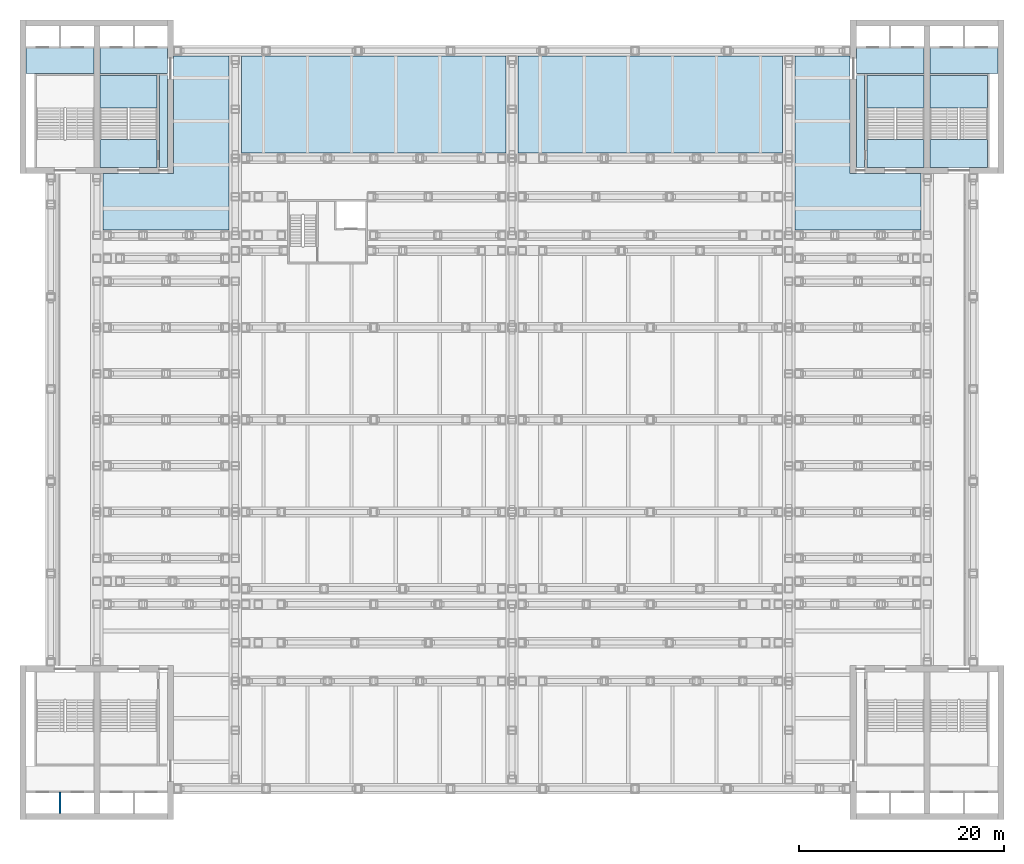
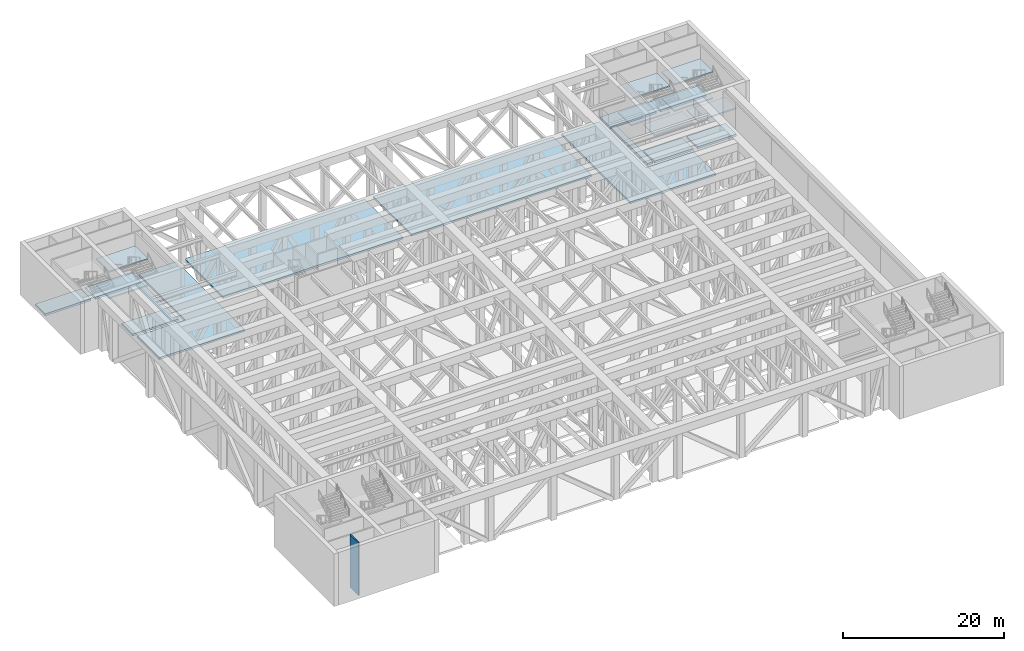
# One storey, part 7 of 20: 21 slabs, 1 wall, 3 elements without a shape of their own.
"""IFC4 building model written with IfcOpenShell, lengths in metres."""

from ifc_helpers import new_model, si_unit, direction, frame, frame_2d, origin, place, context, subcontext, project, spatial, polyline, rectangle, outline, extrude, material, layer, layer_set, type_object, element, aggregate, save


model = new_model("IFC4")

# Units and contexts
model_context = context("Model", 3, precision=1e-05, world=origin(), true_north=direction((0.0, 1.0)))
body_context = subcontext(model_context, "Body", "Model", "MODEL_VIEW")
ifc_project = project(units=[si_unit("LENGTHUNIT", "METRE"), si_unit("AREAUNIT", "SQUARE_METRE"), si_unit("VOLUMEUNIT", "CUBIC_METRE"), si_unit("PLANEANGLEUNIT", "RADIAN"), si_unit("MASSUNIT", "GRAM", prefix="KILO")], contexts=[model_context])

# Site, building, storey
site_placement = place(None, origin())
site = spatial("IfcSite", under=ifc_project, at=site_placement, CompositionType="ELEMENT")
building_placement = place(site_placement, origin())
building = spatial("IfcBuilding", under=site, at=building_placement, Name="Corbelhall Arena Tower", CompositionType="ELEMENT")
storey_placement = place(building_placement, frame((0.0, 0.0, 44.0)))
storey = spatial("IfcBuildingStorey", under=building, at=storey_placement, Name="L06", CompositionType="ELEMENT", Elevation=44.0)

# Stair, slabs
ifc_material_1 = material(Name="Reinforced concrete C40/50", Category="concrete")
stair_type = type_object("IfcStairType", Name="AR-EXIT-STAIR", PredefinedType="HALF_TURN_STAIR", material=ifc_material_1)
stair_1_placement = place(storey_placement, origin())
stair_1 = element("IfcStair", 1, at=stair_1_placement, inside=storey, type_object=stair_type, Name="L06 exit stair AS1", PredefinedType="HALF_TURN_STAIR")
ifc_layer_1 = layer(ifc_material_1, 0.199951171875)
ifc_layer_set_1 = layer_set([ifc_layer_1], Name="AR-EXIT-LANDING")
slab_type_1 = type_object("IfcSlabType", Name="AR-EXIT-LANDING", PredefinedType="LANDING", material=ifc_layer_set_1)
slab_1_placement = place(storey_placement, frame((0.0, 0.0, 1.800048828125)))
slab_1 = element("IfcSlab", 2, at=slab_1_placement, type_object=slab_type_1, Name="AS1 landing 1", PredefinedType="LANDING", context=body_context, shape_type="SweptSolid", body=[
    extrude(outline(polyline([(40.199951171875, 30.39990234375), (40.199951171875, 33.60009765625), (34.610107421875, 33.60009765625), (34.610107421875, 30.39990234375), (40.199951171875, 30.39990234375)])), origin(), (0.0, 0.0, 1.0), 0.199951171875),
])
slab_2_placement = place(storey_placement, frame((0.0, 0.0, 3.800048828125)))
slab_2 = element("IfcSlab", 3, at=slab_2_placement, type_object=slab_type_1, Name="AS1 landing 2", PredefinedType="LANDING", context=body_context, shape_type="SweptSolid", body=[
    extrude(outline(polyline([(40.199951171875, 24.60009765625), (40.199951171875, 27.320068359375), (34.610107421875, 27.320068359375), (34.610107421875, 24.60009765625), (40.199951171875, 24.60009765625)])), origin(), (0.0, 0.0, 1.0), 0.199951171875),
])
slab_3_placement = place(storey_placement, frame((0.0, 0.0, 5.800048828125)))
slab_3 = element("IfcSlab", 4, at=slab_3_placement, type_object=slab_type_1, Name="AS1 landing 3", PredefinedType="LANDING", context=body_context, shape_type="SweptSolid", body=[
    extrude(outline(polyline([(40.199951171875, 30.39990234375), (40.199951171875, 33.60009765625), (34.610107421875, 33.60009765625), (34.610107421875, 30.39990234375), (40.199951171875, 30.39990234375)])), origin(), (0.0, 0.0, 1.0), 0.199951171875),
])
aggregate(stair_1, [slab_1, slab_2, slab_3])

stair_2_placement = place(storey_placement, origin())
stair_2 = element("IfcStair", 5, at=stair_2_placement, inside=storey, type_object=stair_type, Name="L06 exit stair AS2", PredefinedType="HALF_TURN_STAIR")
slab_4_placement = place(storey_placement, frame((0.0, 0.0, 1.800048828125)))
slab_4 = element("IfcSlab", 6, at=slab_4_placement, type_object=slab_type_1, Name="AS2 landing 1", PredefinedType="LANDING", context=body_context, shape_type="SweptSolid", body=[
    extrude(outline(polyline([(46.389892578125, 30.39990234375), (46.389892578125, 33.60009765625), (40.800048828125, 33.60009765625), (40.800048828125, 30.39990234375), (46.389892578125, 30.39990234375)])), origin(), (0.0, 0.0, 1.0), 0.199951171875),
])
slab_5_placement = place(storey_placement, frame((0.0, 0.0, 3.800048828125)))
slab_5 = element("IfcSlab", 7, at=slab_5_placement, type_object=slab_type_1, Name="AS2 landing 2", PredefinedType="LANDING", context=body_context, shape_type="SweptSolid", body=[
    extrude(outline(polyline([(46.389892578125, 24.60009765625), (46.389892578125, 27.320068359375), (40.800048828125, 27.320068359375), (40.800048828125, 24.60009765625), (46.389892578125, 24.60009765625)])), origin(), (0.0, 0.0, 1.0), 0.199951171875),
])
slab_6_placement = place(storey_placement, frame((0.0, 0.0, 5.800048828125)))
slab_6 = element("IfcSlab", 8, at=slab_6_placement, type_object=slab_type_1, Name="AS2 landing 3", PredefinedType="LANDING", context=body_context, shape_type="SweptSolid", body=[
    extrude(outline(polyline([(46.389892578125, 30.39990234375), (46.389892578125, 33.60009765625), (40.800048828125, 33.60009765625), (40.800048828125, 30.39990234375), (46.389892578125, 30.39990234375)])), origin(), (0.0, 0.0, 1.0), 0.199951171875),
])
aggregate(stair_2, [slab_4, slab_5, slab_6])

stair_3_placement = place(storey_placement, origin())
stair_3 = element("IfcStair", 9, at=stair_3_placement, inside=storey, type_object=stair_type, Name="L06 exit stair AS3", PredefinedType="HALF_TURN_STAIR")
slab_7_placement = place(storey_placement, frame((0.0, 0.0, 1.800048828125)))
slab_7 = element("IfcSlab", 10, at=slab_7_placement, type_object=slab_type_1, Name="AS3 landing 1", PredefinedType="LANDING", context=body_context, shape_type="SweptSolid", body=[
    extrude(outline(polyline([(-34.610107421875, 30.39990234375), (-34.610107421875, 33.60009765625), (-40.199951171875, 33.60009765625), (-40.199951171875, 30.39990234375), (-34.610107421875, 30.39990234375)])), origin(), (0.0, 0.0, 1.0), 0.199951171875),
])
slab_8_placement = place(storey_placement, frame((0.0, 0.0, 5.800048828125)))
slab_8 = element("IfcSlab", 11, at=slab_8_placement, type_object=slab_type_1, Name="AS3 landing 3", PredefinedType="LANDING", context=body_context, shape_type="SweptSolid", body=[
    extrude(outline(polyline([(-34.610107421875, 30.39990234375), (-34.610107421875, 33.60009765625), (-40.199951171875, 33.60009765625), (-40.199951171875, 30.39990234375), (-34.610107421875, 30.39990234375)])), origin(), (0.0, 0.0, 1.0), 0.199951171875),
])
aggregate(stair_3, [slab_7, slab_8])

# Slabs
ifc_layer_2 = layer(ifc_material_1, 0.300048828125)
ifc_layer_set_2 = layer_set([ifc_layer_2], Name="AR-STAIR-FLOOR")
slab_type_2 = type_object("IfcSlabType", Name="AR-STAIR-FLOOR", PredefinedType="FLOOR", material=ifc_layer_set_2)
slab_9_placement = place(storey_placement, frame((0.0, 0.0, -0.300048828125)))
element("IfcSlab", 12, at=slab_9_placement, inside=storey, type_object=slab_type_2, Name="Stair AS1 floor", PredefinedType="FLOOR", context=body_context, shape_type="SweptSolid", body=[
    extrude(outline(polyline([(40.199951171875, 24.60009765625), (34.610107421875, 24.60009765625), (34.610107421875, 27.322998046875), (40.199951171875, 27.322998046875), (40.199951171875, 24.60009765625)])), origin(), (0.0, 0.0, 1.0), 0.300048828125),
])
slab_10_placement = place(storey_placement, frame((0.0, 0.0, -0.300048828125)))
element("IfcSlab", 13, at=slab_10_placement, inside=storey, type_object=slab_type_2, Name="Stair AS2 floor", PredefinedType="FLOOR", context=body_context, shape_type="SweptSolid", body=[
    extrude(outline(polyline([(46.389892578125, 24.60009765625), (40.800048828125, 24.60009765625), (40.800048828125, 27.322998046875), (46.389892578125, 27.322998046875), (46.389892578125, 24.60009765625)])), origin(), (0.0, 0.0, 1.0), 0.300048828125),
])
slab_11_placement = place(storey_placement, frame((0.0, 0.0, -0.300048828125)))
element("IfcSlab", 14, at=slab_11_placement, inside=storey, type_object=slab_type_2, Name="Stair AS3 floor", PredefinedType="FLOOR", context=body_context, shape_type="SweptSolid", body=[
    extrude(outline(polyline([(-34.610107421875, 24.60009765625), (-40.199951171875, 24.60009765625), (-40.199951171875, 27.322998046875), (-34.610107421875, 27.322998046875), (-34.610107421875, 24.60009765625)])), origin(), (0.0, 0.0, 1.0), 0.300048828125),
])
slab_12_placement = place(storey_placement, frame((0.0, 0.0, -0.300048828125)))
element("IfcSlab", 15, at=slab_12_placement, inside=storey, type_object=slab_type_2, Name="Lift lobby floor NE", PredefinedType="FLOOR", context=body_context, shape_type="SweptSolid", body=[
    extrude(outline(polyline([(40.199951171875, 33.800048828125), (40.199951171875, 36.300048828125), (33.60009765625, 36.300048828125), (33.60009765625, 33.800048828125), (40.199951171875, 33.800048828125)])), origin(), (0.0, 0.0, 1.0), 0.300048828125),
])
slab_13_placement = place(storey_placement, frame((0.0, 0.0, -0.300048828125)))
element("IfcSlab", 16, at=slab_13_placement, inside=storey, type_object=slab_type_2, Name="Lift lobby floor NE", PredefinedType="FLOOR", context=body_context, shape_type="SweptSolid", body=[
    extrude(outline(polyline([(47.39990234375, 33.800048828125), (47.39990234375, 36.300048828125), (40.800048828125, 36.300048828125), (40.800048828125, 33.800048828125), (47.39990234375, 33.800048828125)])), origin(), (0.0, 0.0, 1.0), 0.300048828125),
])
slab_14_placement = place(storey_placement, frame((0.0, 0.0, -0.300048828125)))
element("IfcSlab", 17, at=slab_14_placement, inside=storey, type_object=slab_type_2, Name="Lift lobby floor NW", PredefinedType="FLOOR", context=body_context, shape_type="SweptSolid", body=[
    extrude(outline(polyline([(-40.800048828125, 33.800048828125), (-40.800048828125, 36.300048828125), (-47.39990234375, 36.300048828125), (-47.39990234375, 33.800048828125), (-40.800048828125, 33.800048828125)])), origin(), (0.0, 0.0, 1.0), 0.300048828125),
])
slab_15_placement = place(storey_placement, frame((0.0, 0.0, -0.300048828125)))
element("IfcSlab", 18, at=slab_15_placement, inside=storey, type_object=slab_type_2, Name="Lift lobby floor NW", PredefinedType="FLOOR", context=body_context, shape_type="SweptSolid", body=[
    extrude(outline(polyline([(-33.60009765625, 33.800048828125), (-33.60009765625, 36.300048828125), (-40.199951171875, 36.300048828125), (-40.199951171875, 33.800048828125), (-33.60009765625, 33.800048828125)])), origin(), (0.0, 0.0, 1.0), 0.300048828125),
])
slab_16_placement = place(storey_placement, frame((0.0, 0.0, -0.300048828125)))
element("IfcSlab", 19, at=slab_16_placement, inside=storey, type_object=slab_type_2, Name="Mechanical plant room 01 floor", PredefinedType="FLOOR", context=body_context, shape_type="SweptSolid", body=[
    extrude(outline(polyline([(34.409912109375, 24.60009765625), (34.409912109375, 33.699951171875), (33.60009765625, 33.699951171875), (33.60009765625, 24.60009765625), (34.409912109375, 24.60009765625)])), origin(), (0.0, 0.0, 1.0), 0.300048828125),
])
slab_17_placement = place(storey_placement, frame((0.0, 0.0, -0.300048828125)))
element("IfcSlab", 20, at=slab_17_placement, inside=storey, type_object=slab_type_2, Name="Mechanical plant room 02 floor", PredefinedType="FLOOR", context=body_context, shape_type="SweptSolid", body=[
    extrude(outline(polyline([(-33.60009765625, 24.60009765625), (-33.60009765625, 33.699951171875), (-34.409912109375, 33.699951171875), (-34.409912109375, 24.60009765625), (-33.60009765625, 24.60009765625)])), origin(), (0.0, 0.0, 1.0), 0.300048828125),
])
ifc_material_2 = material(Name="Concrete C32/40", Category="concrete")
ifc_layer_3 = layer(ifc_material_2, 0.300048828125)
ifc_layer_set_3 = layer_set([ifc_layer_3], Name="PO-DECK-FLOOR")
slab_type_3 = type_object("IfcSlabType", Name="PO-DECK-FLOOR", PredefinedType="FLOOR", material=ifc_layer_set_3)
slab_18_placement = place(storey_placement, frame((0.0, 0.0, -0.300048828125)))
element("IfcSlab", 21, at=slab_18_placement, inside=storey, type_object=slab_type_3, Name="DECK BOT 13", PredefinedType="FLOOR", context=body_context, shape_type="SweptSolid", body=[
    extrude(outline(polyline([(-33.0, 35.5), (-27.60009765625, 35.5), (-27.60009765625, 18.5), (-39.89990234375, 18.5), (-39.89990234375, 24.0), (-33.0, 24.0), (-33.0, 35.5)])), origin(), (0.0, 0.0, 1.0), 0.300048828125),
])
slab_19_placement = place(storey_placement, frame((0.0, 0.0, -0.300048828125)))
element("IfcSlab", 22, at=slab_19_placement, inside=storey, type_object=slab_type_3, Name="DECK BOT 24", PredefinedType="FLOOR", context=body_context, shape_type="SweptSolid", body=[
    extrude(outline(polyline([(-26.39990234375, 35.5), (-0.60009765625, 35.5), (-0.60009765625, 26.0), (-26.39990234375, 26.0), (-26.39990234375, 35.5)])), origin(), (0.0, 0.0, 1.0), 0.300048828125),
])
slab_20_placement = place(storey_placement, frame((0.0, 0.0, -0.300048828125)))
element("IfcSlab", 23, at=slab_20_placement, inside=storey, type_object=slab_type_3, Name="DECK BOT 39", PredefinedType="FLOOR", context=body_context, shape_type="SweptSolid", body=[
    extrude(outline(polyline([(0.60009765625, 35.5), (26.39990234375, 35.5), (26.39990234375, 26.0), (0.60009765625, 26.0), (0.60009765625, 35.5)])), origin(), (0.0, 0.0, 1.0), 0.300048828125),
])
slab_21_placement = place(storey_placement, frame((0.0, 0.0, -0.300048828125)))
element("IfcSlab", 24, at=slab_21_placement, inside=storey, type_object=slab_type_3, Name="DECK BOT 41", PredefinedType="FLOOR", context=body_context, shape_type="SweptSolid", body=[
    extrude(outline(polyline([(27.60009765625, 35.5), (33.0, 35.5), (33.0, 24.0), (39.89990234375, 24.0), (39.89990234375, 18.5), (27.60009765625, 18.5), (27.60009765625, 35.5)])), origin(), (0.0, 0.0, 1.0), 0.300048828125),
])

# Wall
ifc_layer_4 = layer(ifc_material_1, 0.199951171875)
ifc_layer_set_4 = layer_set([ifc_layer_4], Name="AR-SHAFT-WALL")
wall_type = type_object("IfcWallType", Name="AR-SHAFT-WALL", PredefinedType="SHEAR", material=ifc_layer_set_4)
wall_placement = place(storey_placement, frame((-44.10009765625, -38.39990234375, 0.0), z_axis=(0.0, 0.0, 1.0), x_axis=(0.0, 1.0, 0.0)))
element("IfcWall", 25, at=wall_placement, inside=storey, type_object=wall_type, Name="Shaft wall SW", PredefinedType="SHEAR", context=body_context, shape_type="SweptSolid", body=[
    extrude(rectangle(XDim=2.099853515625, YDim=0.199951171875, at=frame_2d((1.0498046875, 0.0))), origin(), (0.0, 0.0, 1.0), 8.0),
])

save(model, "model.ifc")
